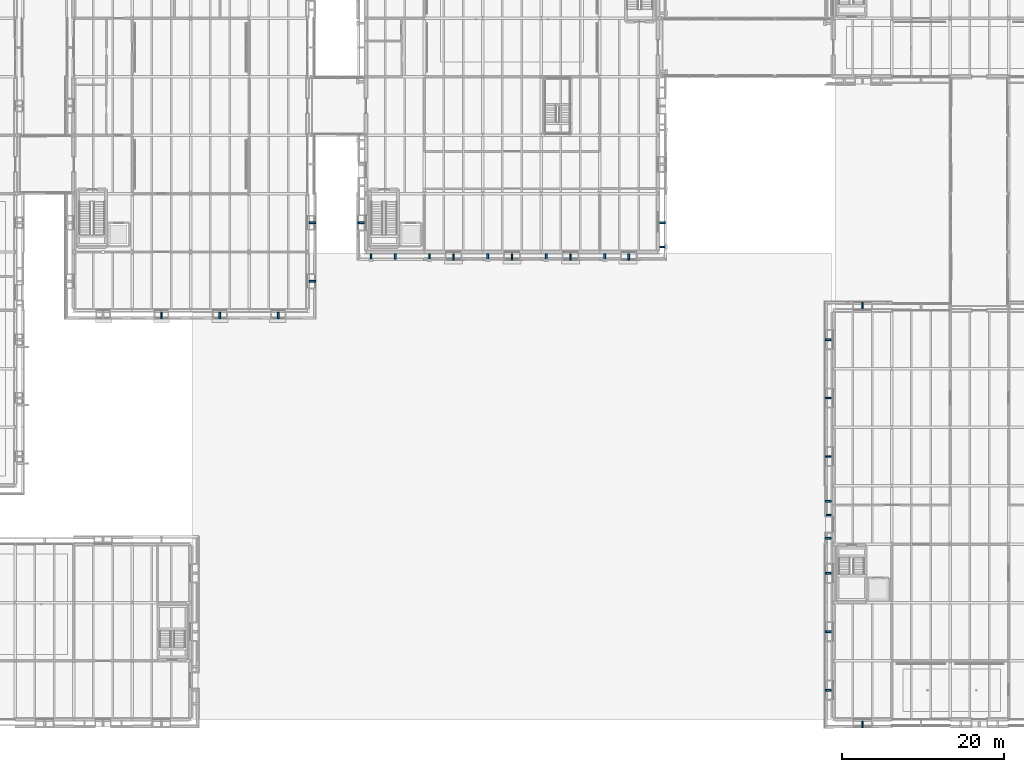
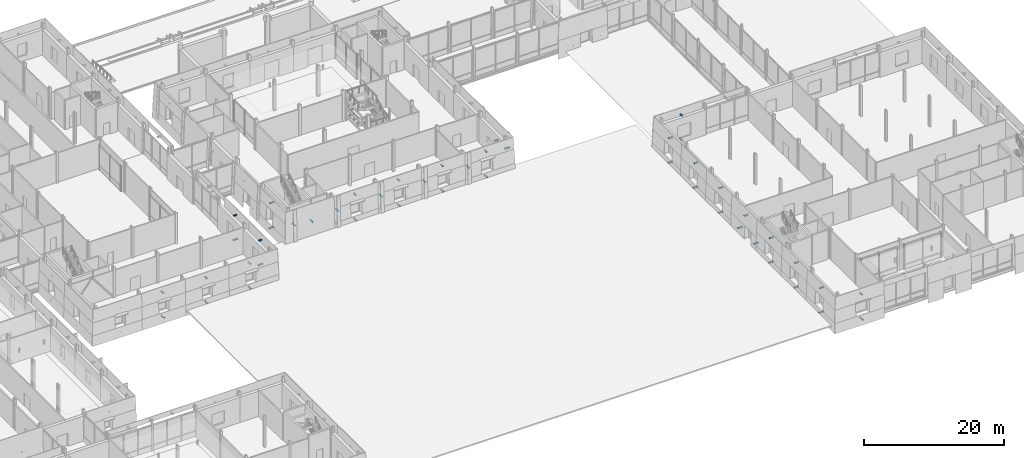
# One storey, part 89 of 120: 47 discrete accessories.
"""IFC4 building model written with IfcOpenShell, lengths in metres."""

from ifc_helpers import new_model, si_unit, direction, frame, origin, origin_2d, place, context, subcontext, project, spatial, rectangle, extrude, material, layer, layer_set, type_object, element, save


model = new_model("IFC4")

# Units and contexts
model_context = context("Model", 3, precision=1e-05, world=origin(), true_north=direction((0.0, 1.0)))
body_context = subcontext(model_context, "Body", "Model", "MODEL_VIEW")
ifc_project = project(units=[si_unit("LENGTHUNIT", "METRE"), si_unit("AREAUNIT", "SQUARE_METRE"), si_unit("VOLUMEUNIT", "CUBIC_METRE"), si_unit("PLANEANGLEUNIT", "RADIAN"), si_unit("MASSUNIT", "GRAM", prefix="KILO")], contexts=[model_context])

# Site, building, storey
site_placement = place(None, origin())
site = spatial("IfcSite", under=ifc_project, at=site_placement, CompositionType="ELEMENT")
building_placement = place(site_placement, origin())
building = spatial("IfcBuilding", under=site, at=building_placement, Name="Narikvali Park Central Library", CompositionType="ELEMENT")
storey_placement = place(building_placement, origin())
storey = spatial("IfcBuildingStorey", under=building, at=storey_placement, Name="L00", CompositionType="ELEMENT", Elevation=0.0)

# Discrete accessories
ifc_material = material(Name="Brushed Stainless Steel S355", Category="steel")
ifc_layer = layer(ifc_material, 0.139892578125, Name="Brushed Stainless Steel S355")
ifc_layer_set = layer_set([ifc_layer], Name="Brushed Stainless Steel S355")
discrete_accessory_type = type_object("IfcDiscreteAccessoryType", Name="Cladding Stainless Tie-Back Corbel Bracket", PredefinedType="BRACKET", material=ifc_layer_set)
discrete_accessory_1_placement = place(storey_placement, frame((65.425048828125, 56.960205078125, 2.6298828125), z_axis=(0.0, 0.0, 1.0), x_axis=(1.0, 0.0, 0.0)))
element("IfcDiscreteAccessory", 1, at=discrete_accessory_1_placement, inside=storey, type_object=discrete_accessory_type, Name="Limestone Cladding Tie-Back Bracket V1-PIL-L00-S-B01", PredefinedType="BRACKET", context=body_context, shape_type="SweptSolid", body=[
    extrude(rectangle(XDim=0.219970703125, YDim=0.819580078125, at=origin_2d()), origin(), (0.0, 0.0, 1.0), 0.139892578125),
])
discrete_accessory_2_placement = place(storey_placement, frame((68.39990234375, 57.0302734375, 2.18994140625), z_axis=(0.0, 0.0, 1.0), x_axis=(1.0, 0.0, 0.0)))
element("IfcDiscreteAccessory", 2, at=discrete_accessory_2_placement, inside=storey, type_object=discrete_accessory_type, Name="Limestone Cladding Tie-Back Bracket V1-CLD-L00-S-B01-FULL", PredefinedType="BRACKET", context=body_context, shape_type="SweptSolid", body=[
    extrude(rectangle(XDim=0.219970703125, YDim=0.679443359375, at=origin_2d()), origin(), (0.0, 0.0, 1.0), 0.139892578125),
])
discrete_accessory_3_placement = place(storey_placement, frame((72.625, 56.960205078125, 2.6298828125), z_axis=(0.0, 0.0, 1.0), x_axis=(1.0, 0.0, 0.0)))
element("IfcDiscreteAccessory", 3, at=discrete_accessory_3_placement, inside=storey, type_object=discrete_accessory_type, Name="Limestone Cladding Tie-Back Bracket V1-PIL-L00-S-B02", PredefinedType="BRACKET", context=body_context, shape_type="SweptSolid", body=[
    extrude(rectangle(XDim=0.219970703125, YDim=0.819580078125, at=origin_2d()), origin(), (0.0, 0.0, 1.0), 0.139892578125),
])
discrete_accessory_4_placement = place(storey_placement, frame((75.60009765625, 56.984130859375, -0.06005859375), z_axis=(0.0, 0.0, 1.0), x_axis=(1.0, 0.0, 0.0)))
element("IfcDiscreteAccessory", 4, at=discrete_accessory_4_placement, inside=storey, type_object=discrete_accessory_type, Name="Limestone Cladding Tie-Back Bracket V1-CLD-L00-S-B02-SP", PredefinedType="BRACKET", context=body_context, shape_type="SweptSolid", body=[
    extrude(rectangle(XDim=0.219970703125, YDim=0.771484375, at=origin_2d()), origin(), (0.0, 0.0, 1.0), 0.139892578125),
])
discrete_accessory_5_placement = place(storey_placement, frame((75.60009765625, 57.064453125, 4.30517578125), z_axis=(0.0, 0.0, 1.0), x_axis=(1.0, 0.0, 0.0)))
element("IfcDiscreteAccessory", 5, at=discrete_accessory_5_placement, inside=storey, type_object=discrete_accessory_type, Name="Limestone Cladding Tie-Back Bracket V1-CLD-L00-S-B02-LN", PredefinedType="BRACKET", context=body_context, shape_type="SweptSolid", body=[
    extrude(rectangle(XDim=0.219970703125, YDim=0.61083984375, at=origin_2d()), origin(), (0.0, 0.0, 1.0), 0.139892578125),
])
discrete_accessory_6_placement = place(storey_placement, frame((79.824951171875, 56.960205078125, 2.6298828125), z_axis=(0.0, 0.0, 1.0), x_axis=(1.0, 0.0, 0.0)))
element("IfcDiscreteAccessory", 6, at=discrete_accessory_6_placement, inside=storey, type_object=discrete_accessory_type, Name="Limestone Cladding Tie-Back Bracket V1-PIL-L00-S-B03", PredefinedType="BRACKET", context=body_context, shape_type="SweptSolid", body=[
    extrude(rectangle(XDim=0.219970703125, YDim=0.819580078125, at=origin_2d()), origin(), (0.0, 0.0, 1.0), 0.139892578125),
])
discrete_accessory_7_placement = place(storey_placement, frame((82.800048828125, 56.984130859375, -0.06005859375), z_axis=(0.0, 0.0, 1.0), x_axis=(1.0, 0.0, 0.0)))
element("IfcDiscreteAccessory", 7, at=discrete_accessory_7_placement, inside=storey, type_object=discrete_accessory_type, Name="Limestone Cladding Tie-Back Bracket V1-CLD-L00-S-B03-SP", PredefinedType="BRACKET", context=body_context, shape_type="SweptSolid", body=[
    extrude(rectangle(XDim=0.219970703125, YDim=0.771484375, at=origin_2d()), origin(), (0.0, 0.0, 1.0), 0.139892578125),
])
discrete_accessory_8_placement = place(storey_placement, frame((82.800048828125, 57.064453125, 4.30517578125), z_axis=(0.0, 0.0, 1.0), x_axis=(1.0, 0.0, 0.0)))
element("IfcDiscreteAccessory", 8, at=discrete_accessory_8_placement, inside=storey, type_object=discrete_accessory_type, Name="Limestone Cladding Tie-Back Bracket V1-CLD-L00-S-B03-LN", PredefinedType="BRACKET", context=body_context, shape_type="SweptSolid", body=[
    extrude(rectangle(XDim=0.219970703125, YDim=0.61083984375, at=origin_2d()), origin(), (0.0, 0.0, 1.0), 0.139892578125),
])
discrete_accessory_9_placement = place(storey_placement, frame((87.02490234375, 56.960205078125, 2.6298828125), z_axis=(0.0, 0.0, 1.0), x_axis=(1.0, 0.0, 0.0)))
element("IfcDiscreteAccessory", 9, at=discrete_accessory_9_placement, inside=storey, type_object=discrete_accessory_type, Name="Limestone Cladding Tie-Back Bracket V1-PIL-L00-S-B04", PredefinedType="BRACKET", context=body_context, shape_type="SweptSolid", body=[
    extrude(rectangle(XDim=0.219970703125, YDim=0.819580078125, at=origin_2d()), origin(), (0.0, 0.0, 1.0), 0.139892578125),
])
discrete_accessory_10_placement = place(storey_placement, frame((90.0, 56.984130859375, -0.06005859375), z_axis=(0.0, 0.0, 1.0), x_axis=(1.0, 0.0, 0.0)))
element("IfcDiscreteAccessory", 10, at=discrete_accessory_10_placement, inside=storey, type_object=discrete_accessory_type, Name="Limestone Cladding Tie-Back Bracket V1-CLD-L00-S-B04-SP", PredefinedType="BRACKET", context=body_context, shape_type="SweptSolid", body=[
    extrude(rectangle(XDim=0.219970703125, YDim=0.771484375, at=origin_2d()), origin(), (0.0, 0.0, 1.0), 0.139892578125),
])
discrete_accessory_11_placement = place(storey_placement, frame((90.0, 57.064453125, 4.30517578125), z_axis=(0.0, 0.0, 1.0), x_axis=(1.0, 0.0, 0.0)))
element("IfcDiscreteAccessory", 11, at=discrete_accessory_11_placement, inside=storey, type_object=discrete_accessory_type, Name="Limestone Cladding Tie-Back Bracket V1-CLD-L00-S-B04-LN", PredefinedType="BRACKET", context=body_context, shape_type="SweptSolid", body=[
    extrude(rectangle(XDim=0.219970703125, YDim=0.61083984375, at=origin_2d()), origin(), (0.0, 0.0, 1.0), 0.139892578125),
])
discrete_accessory_12_placement = place(storey_placement, frame((94.22509765625, 56.960205078125, 2.6298828125), z_axis=(0.0, 0.0, 1.0), x_axis=(1.0, 0.0, 0.0)))
element("IfcDiscreteAccessory", 12, at=discrete_accessory_12_placement, inside=storey, type_object=discrete_accessory_type, Name="Limestone Cladding Tie-Back Bracket V1-PIL-L00-S-B05", PredefinedType="BRACKET", context=body_context, shape_type="SweptSolid", body=[
    extrude(rectangle(XDim=0.219970703125, YDim=0.819580078125, at=origin_2d()), origin(), (0.0, 0.0, 1.0), 0.139892578125),
])
discrete_accessory_13_placement = place(storey_placement, frame((97.199951171875, 56.984130859375, -0.06005859375), z_axis=(0.0, 0.0, 1.0), x_axis=(1.0, 0.0, 0.0)))
element("IfcDiscreteAccessory", 13, at=discrete_accessory_13_placement, inside=storey, type_object=discrete_accessory_type, Name="Limestone Cladding Tie-Back Bracket V1-CLD-L00-S-B05-SP", PredefinedType="BRACKET", context=body_context, shape_type="SweptSolid", body=[
    extrude(rectangle(XDim=0.219970703125, YDim=0.771484375, at=origin_2d()), origin(), (0.0, 0.0, 1.0), 0.139892578125),
])
discrete_accessory_14_placement = place(storey_placement, frame((97.199951171875, 57.064453125, 4.30517578125), z_axis=(0.0, 0.0, 1.0), x_axis=(1.0, 0.0, 0.0)))
element("IfcDiscreteAccessory", 14, at=discrete_accessory_14_placement, inside=storey, type_object=discrete_accessory_type, Name="Limestone Cladding Tie-Back Bracket V1-CLD-L00-S-B05-LN", PredefinedType="BRACKET", context=body_context, shape_type="SweptSolid", body=[
    extrude(rectangle(XDim=0.219970703125, YDim=0.61083984375, at=origin_2d()), origin(), (0.0, 0.0, 1.0), 0.139892578125),
])
discrete_accessory_15_placement = place(storey_placement, frame((101.439697265625, 58.22509765625, 2.6298828125), z_axis=(0.0, 0.0, 1.0), x_axis=(1.0, 0.0, 0.0)))
element("IfcDiscreteAccessory", 15, at=discrete_accessory_15_placement, inside=storey, type_object=discrete_accessory_type, Name="Limestone Cladding Tie-Back Bracket V1-PIL-L00-E-B01", PredefinedType="BRACKET", context=body_context, shape_type="SweptSolid", body=[
    extrude(rectangle(XDim=0.819580078125, YDim=0.219970703125, at=origin_2d()), origin(), (0.0, 0.0, 1.0), 0.139892578125),
])
discrete_accessory_16_placement = place(storey_placement, frame((101.36962890625, 61.199951171875, 2.18994140625), z_axis=(0.0, 0.0, 1.0), x_axis=(1.0, 0.0, 0.0)))
element("IfcDiscreteAccessory", 16, at=discrete_accessory_16_placement, inside=storey, type_object=discrete_accessory_type, Name="Limestone Cladding Tie-Back Bracket V1-CLD-L00-E-B01-FULL", PredefinedType="BRACKET", context=body_context, shape_type="SweptSolid", body=[
    extrude(rectangle(XDim=0.679443359375, YDim=0.219970703125, at=origin_2d()), origin(), (0.0, 0.0, 1.0), 0.139892578125),
])
discrete_accessory_17_placement = place(storey_placement, frame((64.18408203125, 61.199951171875, -0.06005859375), z_axis=(0.0, 0.0, 1.0), x_axis=(1.0, 0.0, 0.0)))
element("IfcDiscreteAccessory", 17, at=discrete_accessory_17_placement, inside=storey, type_object=discrete_accessory_type, Name="Limestone Cladding Tie-Back Bracket V1-CLD-L00-W-B05-SP", PredefinedType="BRACKET", context=body_context, shape_type="SweptSolid", body=[
    extrude(rectangle(XDim=0.771484375, YDim=0.219970703125, at=origin_2d()), origin(), (0.0, 0.0, 1.0), 0.139892578125),
])
discrete_accessory_18_placement = place(storey_placement, frame((64.264404296875, 61.199951171875, 4.30517578125), z_axis=(0.0, 0.0, 1.0), x_axis=(1.0, 0.0, 0.0)))
element("IfcDiscreteAccessory", 18, at=discrete_accessory_18_placement, inside=storey, type_object=discrete_accessory_type, Name="Limestone Cladding Tie-Back Bracket V1-CLD-L00-W-B05-LN", PredefinedType="BRACKET", context=body_context, shape_type="SweptSolid", body=[
    extrude(rectangle(XDim=0.61083984375, YDim=0.219970703125, at=origin_2d()), origin(), (0.0, 0.0, 1.0), 0.139892578125),
])
discrete_accessory_19_placement = place(storey_placement, frame((39.60009765625, 49.782958984375, -0.03515625), z_axis=(0.0, 0.0, 1.0), x_axis=(1.0, 0.0, 0.0)))
element("IfcDiscreteAccessory", 19, at=discrete_accessory_19_placement, inside=storey, type_object=discrete_accessory_type, Name="Limestone Cladding Tie-Back Bracket V4-CLD-L00-S-B02-SP", PredefinedType="BRACKET", context=body_context, shape_type="SweptSolid", body=[
    extrude(rectangle(XDim=0.219970703125, YDim=0.77392578125, at=origin_2d()), origin(), (0.0, 0.0, 1.0), 0.139892578125),
])
discrete_accessory_20_placement = place(storey_placement, frame((39.60009765625, 49.846923828125, 4.205078125), z_axis=(0.0, 0.0, 1.0), x_axis=(1.0, 0.0, 0.0)))
element("IfcDiscreteAccessory", 20, at=discrete_accessory_20_placement, inside=storey, type_object=discrete_accessory_type, Name="Limestone Cladding Tie-Back Bracket V4-CLD-L00-S-B02-LN", PredefinedType="BRACKET", context=body_context, shape_type="SweptSolid", body=[
    extrude(rectangle(XDim=0.219970703125, YDim=0.64599609375, at=origin_2d()), origin(), (0.0, 0.0, 1.0), 0.139892578125),
])
discrete_accessory_21_placement = place(storey_placement, frame((46.800048828125, 49.782958984375, -0.03515625), z_axis=(0.0, 0.0, 1.0), x_axis=(1.0, 0.0, 0.0)))
element("IfcDiscreteAccessory", 21, at=discrete_accessory_21_placement, inside=storey, type_object=discrete_accessory_type, Name="Limestone Cladding Tie-Back Bracket V4-CLD-L00-S-B03-SP", PredefinedType="BRACKET", context=body_context, shape_type="SweptSolid", body=[
    extrude(rectangle(XDim=0.219970703125, YDim=0.77392578125, at=origin_2d()), origin(), (0.0, 0.0, 1.0), 0.139892578125),
])
discrete_accessory_22_placement = place(storey_placement, frame((46.800048828125, 49.846923828125, 4.205078125), z_axis=(0.0, 0.0, 1.0), x_axis=(1.0, 0.0, 0.0)))
element("IfcDiscreteAccessory", 22, at=discrete_accessory_22_placement, inside=storey, type_object=discrete_accessory_type, Name="Limestone Cladding Tie-Back Bracket V4-CLD-L00-S-B03-LN", PredefinedType="BRACKET", context=body_context, shape_type="SweptSolid", body=[
    extrude(rectangle(XDim=0.219970703125, YDim=0.64599609375, at=origin_2d()), origin(), (0.0, 0.0, 1.0), 0.139892578125),
])
discrete_accessory_23_placement = place(storey_placement, frame((54.0, 49.782958984375, -0.03515625), z_axis=(0.0, 0.0, 1.0), x_axis=(1.0, 0.0, 0.0)))
element("IfcDiscreteAccessory", 23, at=discrete_accessory_23_placement, inside=storey, type_object=discrete_accessory_type, Name="Limestone Cladding Tie-Back Bracket V4-CLD-L00-S-B04-SP", PredefinedType="BRACKET", context=body_context, shape_type="SweptSolid", body=[
    extrude(rectangle(XDim=0.219970703125, YDim=0.77392578125, at=origin_2d()), origin(), (0.0, 0.0, 1.0), 0.139892578125),
])
discrete_accessory_24_placement = place(storey_placement, frame((54.0, 49.846923828125, 4.205078125), z_axis=(0.0, 0.0, 1.0), x_axis=(1.0, 0.0, 0.0)))
element("IfcDiscreteAccessory", 24, at=discrete_accessory_24_placement, inside=storey, type_object=discrete_accessory_type, Name="Limestone Cladding Tie-Back Bracket V4-CLD-L00-S-B04-LN", PredefinedType="BRACKET", context=body_context, shape_type="SweptSolid", body=[
    extrude(rectangle(XDim=0.219970703125, YDim=0.64599609375, at=origin_2d()), origin(), (0.0, 0.0, 1.0), 0.139892578125),
])
discrete_accessory_25_placement = place(storey_placement, frame((58.217041015625, 54.0, -0.03515625), z_axis=(0.0, 0.0, 1.0), x_axis=(1.0, 0.0, 0.0)))
element("IfcDiscreteAccessory", 25, at=discrete_accessory_25_placement, inside=storey, type_object=discrete_accessory_type, Name="Limestone Cladding Tie-Back Bracket V4-CLD-L00-E-B01-SP", PredefinedType="BRACKET", context=body_context, shape_type="SweptSolid", body=[
    extrude(rectangle(XDim=0.77392578125, YDim=0.219970703125, at=origin_2d()), origin(), (0.0, 0.0, 1.0), 0.139892578125),
])
discrete_accessory_26_placement = place(storey_placement, frame((58.153076171875, 54.0, 4.205078125), z_axis=(0.0, 0.0, 1.0), x_axis=(1.0, 0.0, 0.0)))
element("IfcDiscreteAccessory", 26, at=discrete_accessory_26_placement, inside=storey, type_object=discrete_accessory_type, Name="Limestone Cladding Tie-Back Bracket V4-CLD-L00-E-B01-LN", PredefinedType="BRACKET", context=body_context, shape_type="SweptSolid", body=[
    extrude(rectangle(XDim=0.64599609375, YDim=0.219970703125, at=origin_2d()), origin(), (0.0, 0.0, 1.0), 0.139892578125),
])
discrete_accessory_27_placement = place(storey_placement, frame((58.217041015625, 61.199951171875, -0.03515625), z_axis=(0.0, 0.0, 1.0), x_axis=(1.0, 0.0, 0.0)))
element("IfcDiscreteAccessory", 27, at=discrete_accessory_27_placement, inside=storey, type_object=discrete_accessory_type, Name="Limestone Cladding Tie-Back Bracket V4-CLD-L00-E-B02-SP", PredefinedType="BRACKET", context=body_context, shape_type="SweptSolid", body=[
    extrude(rectangle(XDim=0.77392578125, YDim=0.219970703125, at=origin_2d()), origin(), (0.0, 0.0, 1.0), 0.139892578125),
])
discrete_accessory_28_placement = place(storey_placement, frame((58.153076171875, 61.199951171875, 4.205078125), z_axis=(0.0, 0.0, 1.0), x_axis=(1.0, 0.0, 0.0)))
element("IfcDiscreteAccessory", 28, at=discrete_accessory_28_placement, inside=storey, type_object=discrete_accessory_type, Name="Limestone Cladding Tie-Back Bracket V4-CLD-L00-E-B02-LN", PredefinedType="BRACKET", context=body_context, shape_type="SweptSolid", body=[
    extrude(rectangle(XDim=0.64599609375, YDim=0.219970703125, at=origin_2d()), origin(), (0.0, 0.0, 1.0), 0.139892578125),
])
discrete_accessory_29_placement = place(storey_placement, frame((126.0, -0.61572265625, -0.06005859375), z_axis=(0.0, 0.0, 1.0), x_axis=(1.0, 0.0, 0.0)))
element("IfcDiscreteAccessory", 29, at=discrete_accessory_29_placement, inside=storey, type_object=discrete_accessory_type, Name="Limestone Cladding Tie-Back Bracket V6-CLD-L00-S-B01-SP", PredefinedType="BRACKET", context=body_context, shape_type="SweptSolid", body=[
    extrude(rectangle(XDim=0.219970703125, YDim=0.771484375, at=origin_2d()), origin(), (0.0, 0.0, 1.0), 0.139892578125),
])
discrete_accessory_30_placement = place(storey_placement, frame((126.0, -0.53759765625, 4.205078125), z_axis=(0.0, 0.0, 1.0), x_axis=(1.0, 0.0, 0.0)))
element("IfcDiscreteAccessory", 30, at=discrete_accessory_30_placement, inside=storey, type_object=discrete_accessory_type, Name="Limestone Cladding Tie-Back Bracket V6-CLD-L00-S-B01-LN", PredefinedType="BRACKET", context=body_context, shape_type="SweptSolid", body=[
    extrude(rectangle(XDim=0.219970703125, YDim=0.614990234375, at=origin_2d()), origin(), (0.0, 0.0, 1.0), 0.139892578125),
])
discrete_accessory_31_placement = place(storey_placement, frame((126.0, 51.015869140625, -0.06005859375), z_axis=(0.0, 0.0, 1.0), x_axis=(1.0, 0.0, 0.0)))
element("IfcDiscreteAccessory", 31, at=discrete_accessory_31_placement, inside=storey, type_object=discrete_accessory_type, Name="Limestone Cladding Tie-Back Bracket V6-CLD-L00-N-B06-SP", PredefinedType="BRACKET", context=body_context, shape_type="SweptSolid", body=[
    extrude(rectangle(XDim=0.219970703125, YDim=0.771484375, at=origin_2d()), origin(), (0.0, 0.0, 1.0), 0.139892578125),
])
discrete_accessory_32_placement = place(storey_placement, frame((126.0, 50.9375, 4.205078125), z_axis=(0.0, 0.0, 1.0), x_axis=(1.0, 0.0, 0.0)))
element("IfcDiscreteAccessory", 32, at=discrete_accessory_32_placement, inside=storey, type_object=discrete_accessory_type, Name="Limestone Cladding Tie-Back Bracket V6-CLD-L00-N-B06-LN", PredefinedType="BRACKET", context=body_context, shape_type="SweptSolid", body=[
    extrude(rectangle(XDim=0.219970703125, YDim=0.614990234375, at=origin_2d()), origin(), (0.0, 0.0, 1.0), 0.139892578125),
])
discrete_accessory_33_placement = place(storey_placement, frame((121.7841796875, 46.800048828125, -0.06005859375), z_axis=(0.0, 0.0, 1.0), x_axis=(1.0, 0.0, 0.0)))
element("IfcDiscreteAccessory", 33, at=discrete_accessory_33_placement, inside=storey, type_object=discrete_accessory_type, Name="Limestone Cladding Tie-Back Bracket V6-CLD-L00-W-B01-SP", PredefinedType="BRACKET", context=body_context, shape_type="SweptSolid", body=[
    extrude(rectangle(XDim=0.771484375, YDim=0.219970703125, at=origin_2d()), origin(), (0.0, 0.0, 1.0), 0.139892578125),
])
discrete_accessory_34_placement = place(storey_placement, frame((121.862548828125, 46.800048828125, 4.205078125), z_axis=(0.0, 0.0, 1.0), x_axis=(1.0, 0.0, 0.0)))
element("IfcDiscreteAccessory", 34, at=discrete_accessory_34_placement, inside=storey, type_object=discrete_accessory_type, Name="Limestone Cladding Tie-Back Bracket V6-CLD-L00-W-B01-LN", PredefinedType="BRACKET", context=body_context, shape_type="SweptSolid", body=[
    extrude(rectangle(XDim=0.614990234375, YDim=0.219970703125, at=origin_2d()), origin(), (0.0, 0.0, 1.0), 0.139892578125),
])
discrete_accessory_35_placement = place(storey_placement, frame((121.7841796875, 39.60009765625, -0.06005859375), z_axis=(0.0, 0.0, 1.0), x_axis=(1.0, 0.0, 0.0)))
element("IfcDiscreteAccessory", 35, at=discrete_accessory_35_placement, inside=storey, type_object=discrete_accessory_type, Name="Limestone Cladding Tie-Back Bracket V6-CLD-L00-W-B02-SP", PredefinedType="BRACKET", context=body_context, shape_type="SweptSolid", body=[
    extrude(rectangle(XDim=0.771484375, YDim=0.219970703125, at=origin_2d()), origin(), (0.0, 0.0, 1.0), 0.139892578125),
])
discrete_accessory_36_placement = place(storey_placement, frame((121.862548828125, 39.60009765625, 4.205078125), z_axis=(0.0, 0.0, 1.0), x_axis=(1.0, 0.0, 0.0)))
element("IfcDiscreteAccessory", 36, at=discrete_accessory_36_placement, inside=storey, type_object=discrete_accessory_type, Name="Limestone Cladding Tie-Back Bracket V6-CLD-L00-W-B02-LN", PredefinedType="BRACKET", context=body_context, shape_type="SweptSolid", body=[
    extrude(rectangle(XDim=0.614990234375, YDim=0.219970703125, at=origin_2d()), origin(), (0.0, 0.0, 1.0), 0.139892578125),
])
discrete_accessory_37_placement = place(storey_placement, frame((121.7841796875, 32.39990234375, -0.06005859375), z_axis=(0.0, 0.0, 1.0), x_axis=(1.0, 0.0, 0.0)))
element("IfcDiscreteAccessory", 37, at=discrete_accessory_37_placement, inside=storey, type_object=discrete_accessory_type, Name="Limestone Cladding Tie-Back Bracket V6-CLD-L00-W-B03-SP", PredefinedType="BRACKET", context=body_context, shape_type="SweptSolid", body=[
    extrude(rectangle(XDim=0.771484375, YDim=0.219970703125, at=origin_2d()), origin(), (0.0, 0.0, 1.0), 0.139892578125),
])
discrete_accessory_38_placement = place(storey_placement, frame((121.862548828125, 32.39990234375, 4.205078125), z_axis=(0.0, 0.0, 1.0), x_axis=(1.0, 0.0, 0.0)))
element("IfcDiscreteAccessory", 38, at=discrete_accessory_38_placement, inside=storey, type_object=discrete_accessory_type, Name="Limestone Cladding Tie-Back Bracket V6-CLD-L00-W-B03-LN", PredefinedType="BRACKET", context=body_context, shape_type="SweptSolid", body=[
    extrude(rectangle(XDim=0.614990234375, YDim=0.219970703125, at=origin_2d()), origin(), (0.0, 0.0, 1.0), 0.139892578125),
])
for number, where, z_axis, x_axis, name in (
    (39, (121.7978515625, 26.8798828125, 0.60986328125), (0.0, 0.0, 1.0), (1.0, 0.0, 0.0), "Limestone Cladding Tie-Back Bracket V6-CLD-L00-W-B04-DL"),
    (40, (121.7978515625, 22.320068359375, 0.60986328125), (0.0, 0.0, 1.0), (1.0, 0.0, 0.0), "Limestone Cladding Tie-Back Bracket V6-CLD-L00-W-B04-DR"),
):
    element("IfcDiscreteAccessory", number, at=place(storey_placement, frame(where, z_axis=z_axis, x_axis=x_axis)), inside=storey, type_object=discrete_accessory_type, Name=name, PredefinedType="BRACKET", context=body_context, shape_type="SweptSolid", body=[
        extrude(rectangle(XDim=0.744140625, YDim=0.219970703125, at=origin_2d()), origin(), (0.0, 0.0, 1.0), 0.139892578125),
    ])
discrete_accessory_39_placement = place(storey_placement, frame((121.853271484375, 25.199951171875, 3.75), z_axis=(0.0, 0.0, 1.0), x_axis=(1.0, 0.0, 0.0)))
element("IfcDiscreteAccessory", 41, at=discrete_accessory_39_placement, inside=storey, type_object=discrete_accessory_type, Name="Limestone Cladding Tie-Back Bracket V6-CLD-L00-W-B04-DH", PredefinedType="BRACKET", context=body_context, shape_type="SweptSolid", body=[
    extrude(rectangle(XDim=0.6337890625, YDim=0.219970703125, at=origin_2d()), origin(), (0.0, 0.0, 1.0), 0.139892578125),
])
discrete_accessory_40_placement = place(storey_placement, frame((121.7841796875, 18.0, -0.06005859375), z_axis=(0.0, 0.0, 1.0), x_axis=(1.0, 0.0, 0.0)))
element("IfcDiscreteAccessory", 42, at=discrete_accessory_40_placement, inside=storey, type_object=discrete_accessory_type, Name="Limestone Cladding Tie-Back Bracket V6-CLD-L00-W-B05-SP", PredefinedType="BRACKET", context=body_context, shape_type="SweptSolid", body=[
    extrude(rectangle(XDim=0.771484375, YDim=0.219970703125, at=origin_2d()), origin(), (0.0, 0.0, 1.0), 0.139892578125),
])
discrete_accessory_41_placement = place(storey_placement, frame((121.862548828125, 18.0, 4.205078125), z_axis=(0.0, 0.0, 1.0), x_axis=(1.0, 0.0, 0.0)))
element("IfcDiscreteAccessory", 43, at=discrete_accessory_41_placement, inside=storey, type_object=discrete_accessory_type, Name="Limestone Cladding Tie-Back Bracket V6-CLD-L00-W-B05-LN", PredefinedType="BRACKET", context=body_context, shape_type="SweptSolid", body=[
    extrude(rectangle(XDim=0.614990234375, YDim=0.219970703125, at=origin_2d()), origin(), (0.0, 0.0, 1.0), 0.139892578125),
])
discrete_accessory_42_placement = place(storey_placement, frame((121.7841796875, 10.800048828125, -0.06005859375), z_axis=(0.0, 0.0, 1.0), x_axis=(1.0, 0.0, 0.0)))
element("IfcDiscreteAccessory", 44, at=discrete_accessory_42_placement, inside=storey, type_object=discrete_accessory_type, Name="Limestone Cladding Tie-Back Bracket V6-CLD-L00-W-B06-SP", PredefinedType="BRACKET", context=body_context, shape_type="SweptSolid", body=[
    extrude(rectangle(XDim=0.771484375, YDim=0.219970703125, at=origin_2d()), origin(), (0.0, 0.0, 1.0), 0.139892578125),
])
discrete_accessory_43_placement = place(storey_placement, frame((121.862548828125, 10.800048828125, 4.205078125), z_axis=(0.0, 0.0, 1.0), x_axis=(1.0, 0.0, 0.0)))
element("IfcDiscreteAccessory", 45, at=discrete_accessory_43_placement, inside=storey, type_object=discrete_accessory_type, Name="Limestone Cladding Tie-Back Bracket V6-CLD-L00-W-B06-LN", PredefinedType="BRACKET", context=body_context, shape_type="SweptSolid", body=[
    extrude(rectangle(XDim=0.614990234375, YDim=0.219970703125, at=origin_2d()), origin(), (0.0, 0.0, 1.0), 0.139892578125),
])
discrete_accessory_44_placement = place(storey_placement, frame((121.7841796875, 3.60009765625, -0.06005859375), z_axis=(0.0, 0.0, 1.0), x_axis=(1.0, 0.0, 0.0)))
element("IfcDiscreteAccessory", 46, at=discrete_accessory_44_placement, inside=storey, type_object=discrete_accessory_type, Name="Limestone Cladding Tie-Back Bracket V6-CLD-L00-W-B07-SP", PredefinedType="BRACKET", context=body_context, shape_type="SweptSolid", body=[
    extrude(rectangle(XDim=0.771484375, YDim=0.219970703125, at=origin_2d()), origin(), (0.0, 0.0, 1.0), 0.139892578125),
])
discrete_accessory_45_placement = place(storey_placement, frame((121.862548828125, 3.60009765625, 4.205078125), z_axis=(0.0, 0.0, 1.0), x_axis=(1.0, 0.0, 0.0)))
element("IfcDiscreteAccessory", 47, at=discrete_accessory_45_placement, inside=storey, type_object=discrete_accessory_type, Name="Limestone Cladding Tie-Back Bracket V6-CLD-L00-W-B07-LN", PredefinedType="BRACKET", context=body_context, shape_type="SweptSolid", body=[
    extrude(rectangle(XDim=0.614990234375, YDim=0.219970703125, at=origin_2d()), origin(), (0.0, 0.0, 1.0), 0.139892578125),
])

save(model, "model.ifc")
